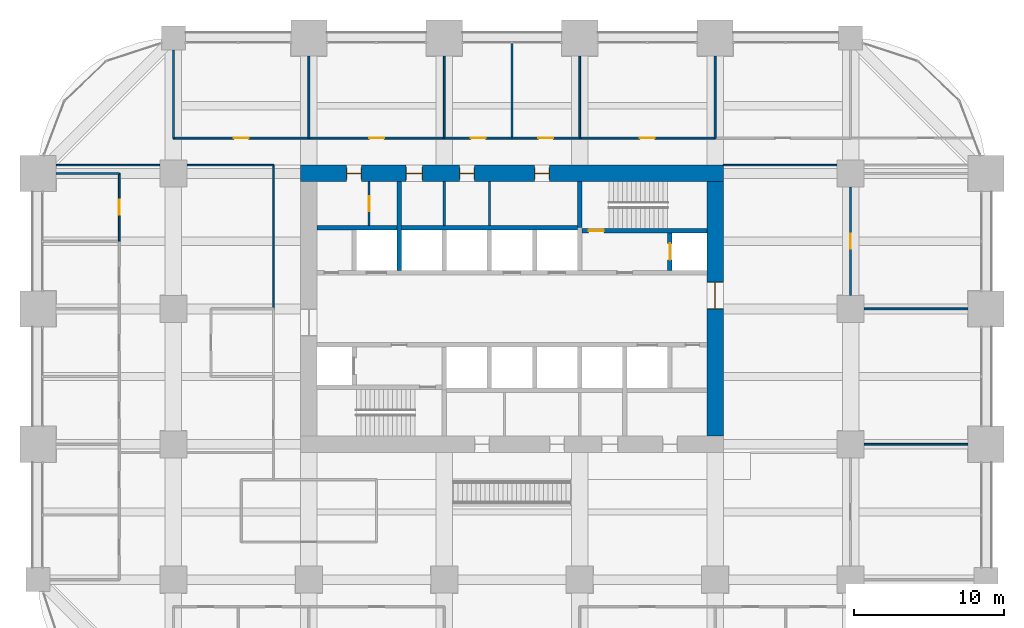
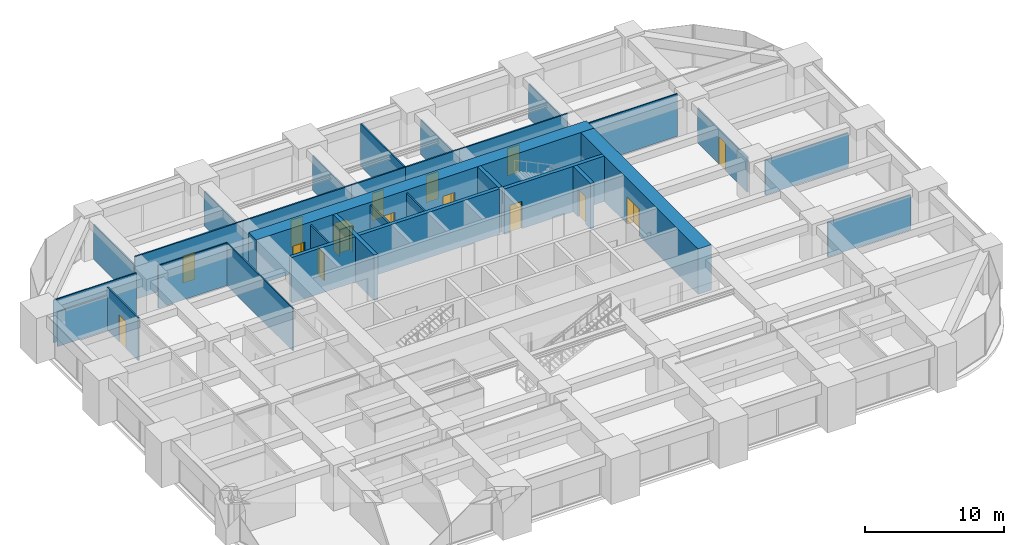
# One storey, part 38 of 41: 30 walls, 15 doors, 15 openings.
"""IFC4 building model written with IfcOpenShell, lengths in metres."""

import ifcopenshell
import ifcopenshell.guid

model = None  # the IFC model being written
_history = None  # IfcOwnerHistory: only IFC2X3 demands one
_inside = {}  # id of a spatial element -> (the spatial element, [elements in it])
_under = {}  # id of a project, library or spatial element -> (it, [spatial elements below it])
_declared = {}  # id of a project -> (the project, [libraries it declares])
_typed = {}  # id of a type object -> (the type object, [elements of that type])
_made_of = {}  # id of a material, layer set ... -> (it, [elements and type objects made of it])


def new_model(schema):
    """Start an empty IFC model of exactly this schema.

    Asked for "IFC4X3", IfcOpenShell would pick the latest addendum, in which some entities
    have other attributes; the version numbers below select the first issue.
    IFC2X3 requires an IfcOwnerHistory on every rooted entity: one is made here for all.
    """
    global model, _history
    if schema == "IFC4X3":
        model = ifcopenshell.file(schema_version=(4, 3, 0, 0))
    else:
        model = ifcopenshell.file(schema=schema)
    _inside.clear()
    _under.clear()
    _declared.clear()
    _typed.clear()
    _made_of.clear()
    _history = None
    if model.schema == "IFC2X3":
        org = make("IfcOrganization", Name="unknown")
        user = make(
            "IfcPersonAndOrganization",
            ThePerson=make("IfcPerson", FamilyName="unknown"),
            TheOrganization=org,
        )
        app = make(
            "IfcApplication",
            ApplicationDeveloper=org,
            Version="unknown",
            ApplicationFullName="unknown",
            ApplicationIdentifier="unknown",
        )
        _history = make(
            "IfcOwnerHistory",
            OwningUser=user,
            OwningApplication=app,
            ChangeAction="ADDED",
            CreationDate=0,
        )
    return model


def make(cls, **values):
    """One entity of the class cls with the attributes given. An attribute that is None is left unset."""
    return model.create_entity(
        cls, **{name: value for name, value in values.items() if value is not None}
    )


def rooted(cls, **values):
    """An entity with a GlobalId (a new one), such as an element, a storey or a relation."""
    return make(cls, GlobalId=ifcopenshell.guid.new(), OwnerHistory=_history, **values)


def si_unit(unit_type, name, prefix=None):
    """IfcSIUnit, for example si_unit("LENGTHUNIT", "METRE", prefix="MILLI")."""
    return make("IfcSIUnit", UnitType=unit_type, Prefix=prefix, Name=name)


def assignment(units):
    """IfcUnitAssignment: the units of a project."""
    return None if units is None else make("IfcUnitAssignment", Units=units)


def point(xyz):
    """IfcCartesianPoint."""
    return None if xyz is None else make("IfcCartesianPoint", Coordinates=xyz)


def direction(xyz):
    """IfcDirection."""
    return None if xyz is None else make("IfcDirection", DirectionRatios=xyz)


def frame(location, z_axis=None, x_axis=None):
    """IfcAxis2Placement3D, a coordinate frame: its origin and axes. An axis left out is left unset."""
    return make(
        "IfcAxis2Placement3D",
        Location=point(location),
        Axis=direction(z_axis),
        RefDirection=direction(x_axis),
    )


def frame_2d(location, x_axis=None):
    """IfcAxis2Placement2D, a coordinate frame in the plane: its origin and x axis."""
    return make(
        "IfcAxis2Placement2D", Location=point(location), RefDirection=direction(x_axis)
    )


def origin():
    """The frame at (0, 0, 0) with its axes left unset."""
    return frame((0.0, 0.0, 0.0))


def place(relative_to, where):
    """IfcLocalPlacement: puts the frame where relative to a parent placement (None: the world)."""
    return make(
        "IfcLocalPlacement", PlacementRelTo=relative_to, RelativePlacement=where
    )


def context(
    kind, dimensions, precision=None, world=None, true_north=None, identifier=None
):
    """IfcGeometricRepresentationContext, for example the 3D "Model" context."""
    return make(
        "IfcGeometricRepresentationContext",
        ContextIdentifier=identifier,
        ContextType=kind,
        CoordinateSpaceDimension=dimensions,
        Precision=precision,
        WorldCoordinateSystem=world,
        TrueNorth=true_north,
    )


def subcontext(parent, identifier, kind, view, scale=None):
    """IfcGeometricRepresentationSubContext, for example "Body" below "Model"."""
    return make(
        "IfcGeometricRepresentationSubContext",
        ContextIdentifier=identifier,
        ContextType=kind,
        ParentContext=parent,
        TargetScale=scale,
        TargetView=view,
    )


def project(units=None, contexts=None):
    """IfcProject with its units and contexts."""
    return rooted(
        "IfcProject",
        Name="project",
        RepresentationContexts=contexts,
        UnitsInContext=assignment(units),
    )


def spatial(cls, under=None, at=None, **own):
    """A site, building, storey or space (cls), placed at a placement, below another one or the project."""
    s = rooted(cls, ObjectPlacement=at, **own)
    if under is not None:
        _under.setdefault(under.id(), (under, []))[1].append(s)
    return s


def profile(cls, at=None, kind="AREA", **sizes):
    """A parametric profile (cls). Its sizes go by their IFC names, for example OverallWidth=200.0."""
    return make(cls, ProfileType=kind, Position=at, **sizes)


def rectangle(**sizes):
    """IfcRectangleProfileDef."""
    return profile("IfcRectangleProfileDef", **sizes)


def extrude(swept, where, along, depth):
    """IfcExtrudedAreaSolid: the profile swept, set in the frame where, extruded along a direction by depth."""
    return make(
        "IfcExtrudedAreaSolid",
        SweptArea=swept,
        Position=where,
        ExtrudedDirection=direction(along),
        Depth=depth,
    )


def shape(context_of_items, identifier, shape_type, items):
    """IfcShapeRepresentation: the items that make up one representation, for example the "Body"."""
    return make(
        "IfcShapeRepresentation",
        ContextOfItems=context_of_items,
        RepresentationIdentifier=identifier,
        RepresentationType=shape_type,
        Items=items,
    )


def material(Name=None, Category=None):
    """IfcMaterial."""
    return make("IfcMaterial", Name=Name, Category=Category)


def layer(
    of_material, thickness, ventilated=None, Name=None, Category=None, Priority=None
):
    """IfcMaterialLayer: one layer of a wall or slab, of a material (None: an air gap)."""
    return make(
        "IfcMaterialLayer",
        Material=of_material,
        LayerThickness=thickness,
        IsVentilated=ventilated,
        Name=Name,
        Category=Category,
        Priority=Priority,
    )


def layer_set(layers, Name=None):
    """IfcMaterialLayerSet."""
    return make("IfcMaterialLayerSet", MaterialLayers=layers, LayerSetName=Name)


def made_of(thing, what):
    """Note that an element or type object is made of a material, layer set ...; save() writes the relation."""
    if what is not None:
        _made_of.setdefault(what.id(), (what, []))[1].append(thing)
    return thing


def type_object(cls, material=None, **own):
    """A type object (cls), such as IfcWallType, which elements share."""
    return made_of(rooted(cls, **own), material)


def element(
    cls,
    number,
    at=None,
    inside=None,
    cuts=None,
    type_object=None,
    material=None,
    context=None,
    identifier="Body",
    shape_type=None,
    held_by="IfcProductDefinitionShape",
    body=None,
    shapes=None,
    **own,
):
    """One element of the class cls, such as IfcWall. Its Tag is "e" and its number.

    at: its placement. inside: the storey or other place that contains it. cuts: it is an
    opening in that element (IfcRelVoidsElement). A single representation is given by context,
    identifier, shape_type and body (its items); several are given by shapes. held_by: the class
    of the entity that holds the representations. save() writes the other relations.
    """
    e = rooted(cls, Tag="e%d" % number, ObjectPlacement=at, **own)
    if body is not None:
        shapes = [shape(context, identifier, shape_type, body)]
    if shapes is not None:
        e.Representation = make(held_by, Representations=shapes)
    if inside is not None:
        _inside.setdefault(inside.id(), (inside, []))[1].append(e)
    if cuts is not None:
        rooted(
            "IfcRelVoidsElement", RelatingBuildingElement=cuts, RelatedOpeningElement=e
        )
    if type_object is not None:
        _typed.setdefault(type_object.id(), (type_object, []))[1].append(e)
    return made_of(e, material)


def fill(opening, filler):
    """IfcRelFillsElement: the door or window that sits in an opening."""
    return rooted(
        "IfcRelFillsElement",
        RelatingOpeningElement=opening,
        RelatedBuildingElement=filler,
    )


def aggregate(whole, parts):
    """IfcRelAggregates: a whole, such as a stair, and the parts it consists of."""
    return rooted("IfcRelAggregates", RelatingObject=whole, RelatedObjects=parts)


def save(model, path):
    """Write the relations noted so far, then the file.

    IfcRelAggregates (storeys below a building ...), IfcRelContainedInSpatialStructure (elements
    in a storey), IfcRelDefinesByType, IfcRelAssociatesMaterial and IfcRelDeclares: one each for
    every whole, place, type object, material and project.
    """
    for whole, parts in _under.values():
        aggregate(whole, parts)
    for where, things in _inside.values():
        rooted(
            "IfcRelContainedInSpatialStructure",
            RelatedElements=things,
            RelatingStructure=where,
        )
    for kind, things in _typed.values():
        rooted("IfcRelDefinesByType", RelatedObjects=things, RelatingType=kind)
    for what, things in _made_of.values():
        rooted("IfcRelAssociatesMaterial", RelatedObjects=things, RelatingMaterial=what)
    for by, libraries in _declared.values():
        rooted("IfcRelDeclares", RelatingContext=by, RelatedDefinitions=libraries)
    model.write(path)


model = new_model("IFC4")

# Units and contexts
model_context = context("Model", 3, precision=1e-05, world=origin(), true_north=direction((0.0, 1.0)))
body_context = subcontext(model_context, "Body", "Model", "MODEL_VIEW")
ifc_project = project(units=[si_unit("LENGTHUNIT", "METRE"), si_unit("AREAUNIT", "SQUARE_METRE"), si_unit("VOLUMEUNIT", "CUBIC_METRE"), si_unit("PLANEANGLEUNIT", "RADIAN"), si_unit("MASSUNIT", "GRAM", prefix="KILO")], contexts=[model_context])

# Site, building, storey
site_placement = place(None, origin())
site = spatial("IfcSite", under=ifc_project, at=site_placement, CompositionType="ELEMENT")
building_placement = place(site_placement, origin())
building = spatial("IfcBuilding", under=site, at=building_placement, Name="Zorevar Civic Tower", CompositionType="ELEMENT")
storey_placement = place(building_placement, frame((0.0, 0.0, 137.0)))
storey = spatial("IfcBuildingStorey", under=building, at=storey_placement, Name="L33", CompositionType="ELEMENT", Elevation=137.0)

# Wall, openings, doors
ifc_material_1 = material(Name="Concrete C50/60", Category="concrete")
ifc_layer_1 = layer(ifc_material_1, 1.10009765625)
ifc_layer_set_1 = layer_set([ifc_layer_1], Name="Core wall 1100")
wall_type_1 = type_object("IfcWallType", Name="Core wall 1100", PredefinedType="SHEAR", material=ifc_layer_set_1)
wall_1_placement = place(storey_placement, frame((45.550048828125, 36.0, 0.0), z_axis=(0.0, 0.0, 1.0), x_axis=(-1.0, 0.0, 0.0)))
wall_1 = element("IfcWall", 1, at=wall_1_placement, inside=storey, type_object=wall_type_1, Name="Core wall N L33", PredefinedType="SHEAR", context=body_context, shape_type="SweptSolid", body=[
    extrude(rectangle(XDim=28.10009765625, YDim=1.10009765625, at=frame_2d((14.050048828125, 0.0))), origin(), (0.0, 0.0, 1.0), 4.0),
])
opening_1_placement = place(wall_1_placement, frame((11.550048828125, 0.0, 0.0)))
opening_1 = element("IfcOpeningElement", 2, at=opening_1_placement, cuts=wall_1, Name="Opening L33.07", PredefinedType="OPENING", context=body_context, shape_type="SweptSolid", body=[
    extrude(rectangle(XDim=1.0, YDim=2.39990234375, at=frame_2d((0.5, 1.199951171875))), frame((0.0, 0.56005859375, 0.0), z_axis=(0.0, -1.0, 0.0), x_axis=(1.0, 0.0, 0.0)), (0.0, 0.0, 1.0), 1.1201171875),
])
opening_2_placement = place(wall_1_placement, frame((16.550048828125, 0.0, 0.0)))
opening_2 = element("IfcOpeningElement", 3, at=opening_2_placement, cuts=wall_1, Name="Opening L33.08", PredefinedType="OPENING", context=body_context, shape_type="SweptSolid", body=[
    extrude(rectangle(XDim=1.0, YDim=2.39990234375, at=frame_2d((0.5, 1.199951171875))), frame((0.0, 0.56005859375, 0.0), z_axis=(0.0, -1.0, 0.0), x_axis=(1.0, 0.0, 0.0)), (0.0, 0.0, 1.0), 1.1201171875),
])
opening_3_placement = place(wall_1_placement, frame((20.0, 0.0, 0.0)))
opening_3 = element("IfcOpeningElement", 4, at=opening_3_placement, cuts=wall_1, Name="Opening L33.09", PredefinedType="OPENING", context=body_context, shape_type="SweptSolid", body=[
    extrude(rectangle(XDim=1.10009765625, YDim=2.39990234375, at=frame_2d((0.550048828125, 1.199951171875))), frame((0.0, 0.56005859375, 0.0), z_axis=(0.0, -1.0, 0.0), x_axis=(1.0, 0.0, 0.0)), (0.0, 0.0, 1.0), 1.1201171875),
])
opening_4_placement = place(wall_1_placement, frame((24.050048828125, 0.0, 0.0)))
opening_4 = element("IfcOpeningElement", 5, at=opening_4_placement, cuts=wall_1, Name="Opening L33.10", PredefinedType="OPENING", context=body_context, shape_type="SweptSolid", body=[
    extrude(rectangle(XDim=1.0, YDim=2.39990234375, at=frame_2d((0.5, 1.199951171875))), frame((0.0, 0.56005859375, 0.0), z_axis=(0.0, -1.0, 0.0), x_axis=(1.0, 0.0, 0.0)), (0.0, 0.0, 1.0), 1.1201171875),
])
ifc_material_2 = material(Name="Timber door set", Category="wood")
door_type_1 = type_object("IfcDoorType", Name="Door D1 1000x2400", OperationType="SINGLE_SWING_LEFT", PredefinedType="DOOR", material=ifc_material_2)
door_1_placement = place(opening_1_placement, origin())
door_1 = element("IfcDoor", 6, at=door_1_placement, inside=storey, type_object=door_type_1, Name="Door L33 06", OperationType="SINGLE_SWING_LEFT", OverallHeight=2.39990234375, OverallWidth=1.0, PredefinedType="DOOR", context=body_context, shape_type="SweptSolid", body=[
    extrude(rectangle(XDim=1.0, YDim=2.39990234375, at=frame_2d((0.5, 1.199951171875))), frame((0.0, 0.02490234375, 0.0), z_axis=(0.0, -1.0, 0.0), x_axis=(1.0, 0.0, 0.0)), (0.0, 0.0, 1.0), 0.050048828125),
    extrude(rectangle(XDim=0.04, YDim=2.39990234375, at=frame_2d((0.02001953125, 1.199951171875))), frame((0.0, 0.39990234375, 0.0), z_axis=(0.0, -1.0, 0.0), x_axis=(1.0, 0.0, 0.0)), (0.0, 0.0, 1.0), 0.800048828125),
    extrude(rectangle(XDim=0.04, YDim=2.39990234375, at=frame_2d((0.97998046875, 1.199951171875))), frame((0.0, 0.39990234375, 0.0), z_axis=(0.0, -1.0, 0.0), x_axis=(1.0, 0.0, 0.0)), (0.0, 0.0, 1.0), 0.800048828125),
    extrude(rectangle(XDim=1.0, YDim=0.04, at=frame_2d((0.5, 2.3798828125))), frame((0.0, 0.39990234375, 0.0), z_axis=(0.0, -1.0, 0.0), x_axis=(1.0, 0.0, 0.0)), (0.0, 0.0, 1.0), 0.800048828125),
])
fill(opening_1, door_1)
door_2_placement = place(opening_2_placement, origin())
door_2 = element("IfcDoor", 7, at=door_2_placement, inside=storey, type_object=door_type_1, Name="Door L33 07", OperationType="SINGLE_SWING_RIGHT", OverallHeight=2.39990234375, OverallWidth=1.0, PredefinedType="DOOR", context=body_context, shape_type="SweptSolid", body=[
    extrude(rectangle(XDim=1.0, YDim=2.39990234375, at=frame_2d((0.5, 1.199951171875))), frame((0.0, 0.02490234375, 0.0), z_axis=(0.0, -1.0, 0.0), x_axis=(1.0, 0.0, 0.0)), (0.0, 0.0, 1.0), 0.050048828125),
    extrude(rectangle(XDim=0.04, YDim=2.39990234375, at=frame_2d((0.02001953125, 1.199951171875))), frame((0.0, 0.39990234375, 0.0), z_axis=(0.0, -1.0, 0.0), x_axis=(1.0, 0.0, 0.0)), (0.0, 0.0, 1.0), 0.800048828125),
    extrude(rectangle(XDim=0.04, YDim=2.39990234375, at=frame_2d((0.97998046875, 1.199951171875))), frame((0.0, 0.39990234375, 0.0), z_axis=(0.0, -1.0, 0.0), x_axis=(1.0, 0.0, 0.0)), (0.0, 0.0, 1.0), 0.800048828125),
    extrude(rectangle(XDim=1.0, YDim=0.04, at=frame_2d((0.5, 2.3798828125))), frame((0.0, 0.39990234375, 0.0), z_axis=(0.0, -1.0, 0.0), x_axis=(1.0, 0.0, 0.0)), (0.0, 0.0, 1.0), 0.800048828125),
])
fill(opening_2, door_2)
door_3_placement = place(opening_4_placement, origin())
door_3 = element("IfcDoor", 8, at=door_3_placement, inside=storey, type_object=door_type_1, Name="Door L33 09", OperationType="SINGLE_SWING_RIGHT", OverallHeight=2.39990234375, OverallWidth=1.0, PredefinedType="DOOR", context=body_context, shape_type="SweptSolid", body=[
    extrude(rectangle(XDim=1.0, YDim=2.39990234375, at=frame_2d((0.5, 1.199951171875))), frame((0.0, 0.02490234375, 0.0), z_axis=(0.0, -1.0, 0.0), x_axis=(1.0, 0.0, 0.0)), (0.0, 0.0, 1.0), 0.050048828125),
    extrude(rectangle(XDim=0.04, YDim=2.39990234375, at=frame_2d((0.02001953125, 1.199951171875))), frame((0.0, 0.39990234375, 0.0), z_axis=(0.0, -1.0, 0.0), x_axis=(1.0, 0.0, 0.0)), (0.0, 0.0, 1.0), 0.800048828125),
    extrude(rectangle(XDim=0.04, YDim=2.39990234375, at=frame_2d((0.97998046875, 1.199951171875))), frame((0.0, 0.39990234375, 0.0), z_axis=(0.0, -1.0, 0.0), x_axis=(1.0, 0.0, 0.0)), (0.0, 0.0, 1.0), 0.800048828125),
    extrude(rectangle(XDim=1.0, YDim=0.04, at=frame_2d((0.5, 2.3798828125))), frame((0.0, 0.39990234375, 0.0), z_axis=(0.0, -1.0, 0.0), x_axis=(1.0, 0.0, 0.0)), (0.0, 0.0, 1.0), 0.800048828125),
])
fill(opening_4, door_3)
ifc_material_3 = material(Name="Timber door set", Category="wood")
door_type_2 = type_object("IfcDoorType", Name="Door D5 1100x2400", OperationType="SINGLE_SWING_LEFT", PredefinedType="DOOR", material=ifc_material_3)
door_4_placement = place(opening_3_placement, origin())
door_4 = element("IfcDoor", 9, at=door_4_placement, inside=storey, type_object=door_type_2, Name="Door L33 08", OperationType="SINGLE_SWING_RIGHT", OverallHeight=2.39990234375, OverallWidth=1.10009765625, PredefinedType="DOOR", context=body_context, shape_type="SweptSolid", body=[
    extrude(rectangle(XDim=1.10009765625, YDim=2.39990234375, at=frame_2d((0.550048828125, 1.199951171875))), frame((0.0, 0.02490234375, 0.0), z_axis=(0.0, -1.0, 0.0), x_axis=(1.0, 0.0, 0.0)), (0.0, 0.0, 1.0), 0.050048828125),
    extrude(rectangle(XDim=0.04, YDim=2.39990234375, at=frame_2d((0.02001953125, 1.199951171875))), frame((0.0, 0.43994140625, 0.0), z_axis=(0.0, -1.0, 0.0), x_axis=(1.0, 0.0, 0.0)), (0.0, 0.0, 1.0), 0.880126953125),
    extrude(rectangle(XDim=0.04, YDim=2.39990234375, at=frame_2d((1.080078125, 1.199951171875))), frame((0.0, 0.43994140625, 0.0), z_axis=(0.0, -1.0, 0.0), x_axis=(1.0, 0.0, 0.0)), (0.0, 0.0, 1.0), 0.880126953125),
    extrude(rectangle(XDim=1.10009765625, YDim=0.04, at=frame_2d((0.550048828125, 2.3798828125))), frame((0.0, 0.43994140625, 0.0), z_axis=(0.0, -1.0, 0.0), x_axis=(1.0, 0.0, 0.0)), (0.0, 0.0, 1.0), 0.880126953125),
])
fill(opening_3, door_4)

# Wall, opening, door
wall_2_placement = place(storey_placement, frame((45.0, 18.550048828125, 0.0), z_axis=(0.0, 0.0, 1.0), x_axis=(0.0, 1.0, 0.0)))
wall_2 = element("IfcWall", 10, at=wall_2_placement, inside=storey, type_object=wall_type_1, Name="Core wall E L33", PredefinedType="SHEAR", context=body_context, shape_type="SweptSolid", body=[
    extrude(rectangle(XDim=16.89990234375, YDim=1.10009765625, at=frame_2d((8.449951171875, 0.0))), origin(), (0.0, 0.0, 1.0), 4.0),
])
opening_5_placement = place(wall_2_placement, frame((8.449951171875, 0.0, 0.0)))
opening_5 = element("IfcOpeningElement", 11, at=opening_5_placement, cuts=wall_2, Name="Opening L33.02", PredefinedType="OPENING", context=body_context, shape_type="SweptSolid", body=[
    extrude(rectangle(XDim=1.800048828125, YDim=2.39990234375, at=frame_2d((0.89990234375, 1.199951171875))), frame((0.0, 0.56005859375, 0.0), z_axis=(0.0, -1.0, 0.0), x_axis=(1.0, 0.0, 0.0)), (0.0, 0.0, 1.0), 1.1201171875),
])
ifc_material_4 = material(Name="Steel door set", Category="steel")
door_type_3 = type_object("IfcDoorType", Name="Fire door FD2 1800x2400", OperationType="DOUBLE_DOOR_DOUBLE_SWING", PredefinedType="DOOR", material=ifc_material_4)
door_5_placement = place(opening_5_placement, origin())
door_5 = element("IfcDoor", 12, at=door_5_placement, inside=storey, type_object=door_type_3, Name="Door L33 01", OperationType="DOUBLE_DOOR_DOUBLE_SWING", OverallHeight=2.39990234375, OverallWidth=1.800048828125, PredefinedType="DOOR", context=body_context, shape_type="SweptSolid", body=[
    extrude(rectangle(XDim=1.800048828125, YDim=2.39990234375, at=frame_2d((0.89990234375, 1.199951171875))), frame((0.0, 0.030029296875, 0.0), z_axis=(0.0, -1.0, 0.0), x_axis=(1.0, 0.0, 0.0)), (0.0, 0.0, 1.0), 0.06005859375),
    extrude(rectangle(XDim=0.04, YDim=2.39990234375, at=frame_2d((0.02001953125, 1.199951171875))), frame((0.0, 0.5498046875, 0.0), z_axis=(0.0, -1.0, 0.0), x_axis=(1.0, 0.0, 0.0)), (0.0, 0.0, 1.0), 1.099609375),
    extrude(rectangle(XDim=0.04, YDim=2.39990234375, at=frame_2d((1.780029296875, 1.199951171875))), frame((0.0, 0.5498046875, 0.0), z_axis=(0.0, -1.0, 0.0), x_axis=(1.0, 0.0, 0.0)), (0.0, 0.0, 1.0), 1.099609375),
    extrude(rectangle(XDim=1.800048828125, YDim=0.04, at=frame_2d((0.89990234375, 2.3798828125))), frame((0.0, 0.5498046875, 0.0), z_axis=(0.0, -1.0, 0.0), x_axis=(1.0, 0.0, 0.0)), (0.0, 0.0, 1.0), 1.099609375),
])
fill(opening_5, door_5)

# Walls
ifc_material_5 = material(Name="Laminated glass in black aluminium frame", Category="aluminium")
ifc_layer_2 = layer(ifc_material_5, 0.10009765625)
ifc_layer_set_2 = layer_set([ifc_layer_2], Name="Glazed partition 100")
wall_type_2 = type_object("IfcWallType", Name="Glazed partition 100", PredefinedType="PARTITIONING", material=ifc_layer_set_2)
wall_3_placement = place(storey_placement, frame((1.199951171875, 36.550048828125, 0.0), z_axis=(0.0, 0.0, 1.0), x_axis=(1.0, 0.0, 0.0)))
element("IfcWall", 13, at=wall_3_placement, inside=storey, type_object=wall_type_2, Name="Glazed partition 100 L33", PredefinedType="PARTITIONING", context=body_context, shape_type="SweptSolid", body=[
    extrude(rectangle(XDim=6.900146484375, YDim=0.10009765625, at=frame_2d((3.4501953125, 0.0))), origin(), (0.0, 0.0, 1.0), 3.75),
])
wall_4_placement = place(storey_placement, frame((9.89990234375, 36.550048828125, 0.0), z_axis=(0.0, 0.0, 1.0), x_axis=(1.0, 0.0, 0.0)))
element("IfcWall", 14, at=wall_4_placement, inside=storey, type_object=wall_type_2, Name="Glazed partition 100 L33", PredefinedType="PARTITIONING", context=body_context, shape_type="SweptSolid", body=[
    extrude(rectangle(XDim=5.75, YDim=0.10009765625, at=frame_2d((2.875, 0.0))), origin(), (0.0, 0.0, 1.0), 3.75),
])
wall_5_placement = place(storey_placement, frame((45.550048828125, 36.550048828125, 0.0), z_axis=(0.0, 0.0, 1.0), x_axis=(1.0, 0.0, 0.0)))
element("IfcWall", 15, at=wall_5_placement, inside=storey, type_object=wall_type_2, Name="Glazed partition 100 L33", PredefinedType="PARTITIONING", context=body_context, shape_type="SweptSolid", body=[
    extrude(rectangle(XDim=7.550048828125, YDim=0.10009765625, at=frame_2d((3.77490234375, 0.0))), origin(), (0.0, 0.0, 1.0), 3.75),
])
wall_6_placement = place(storey_placement, frame((15.64990234375, 27.0, 0.0), z_axis=(0.0, 0.0, 1.0), x_axis=(0.0, 1.0, 0.0)))
element("IfcWall", 16, at=wall_6_placement, inside=storey, type_object=wall_type_2, Name="Glazed partition 100 L33", PredefinedType="PARTITIONING", context=body_context, shape_type="SweptSolid", body=[
    extrude(rectangle(XDim=9.550048828125, YDim=0.10009765625, at=frame_2d((4.77490234375, 0.0))), origin(), (0.0, 0.0, 1.0), 3.75),
])

# Wall, opening, door
ifc_material_6 = material(Name="Concrete C40/50", Category="concrete")
ifc_layer_3 = layer(ifc_material_6, 0.300048828125)
ifc_layer_set_3 = layer_set([ifc_layer_3], Name="Inner core wall 300")
wall_type_3 = type_object("IfcWallType", Name="Inner core wall 300", PredefinedType="SHEAR", material=ifc_layer_set_3)
wall_7_placement = place(storey_placement, frame((36.14990234375, 32.199951171875, 0.0), z_axis=(0.0, 0.0, 1.0), x_axis=(1.0, 0.0, 0.0)))
wall_7 = element("IfcWall", 17, at=wall_7_placement, inside=storey, type_object=wall_type_3, Name="Inner core wall N00 L33", PredefinedType="SHEAR", context=body_context, shape_type="SweptSolid", body=[
    extrude(rectangle(XDim=8.300048828125, YDim=0.300048828125, at=frame_2d((4.14990234375, 0.0))), origin(), (0.0, 0.0, 1.0), 4.0),
])
opening_6_placement = place(wall_7_placement, frame((0.449951171875, 0.0, 0.0)))
opening_6 = element("IfcOpeningElement", 18, at=opening_6_placement, cuts=wall_7, Name="Opening L33.12", PredefinedType="OPENING", context=body_context, shape_type="SweptSolid", body=[
    extrude(rectangle(XDim=1.0, YDim=2.39990234375, at=frame_2d((0.5, 1.199951171875))), frame((0.0, 0.159912109375, 0.0), z_axis=(0.0, -1.0, 0.0), x_axis=(1.0, 0.0, 0.0)), (0.0, 0.0, 1.0), 0.320068359375),
])
ifc_material_7 = material(Name="Steel door set", Category="steel")
door_type_4 = type_object("IfcDoorType", Name="Fire door FD1 1000x2400", OperationType="SINGLE_SWING_LEFT", PredefinedType="DOOR", material=ifc_material_7)
door_6_placement = place(opening_6_placement, origin())
door_6 = element("IfcDoor", 19, at=door_6_placement, inside=storey, type_object=door_type_4, Name="Door L33 11", OperationType="SINGLE_SWING_RIGHT", OverallHeight=2.39990234375, OverallWidth=1.0, PredefinedType="DOOR", context=body_context, shape_type="SweptSolid", body=[
    extrude(rectangle(XDim=1.0, YDim=2.39990234375, at=frame_2d((0.5, 1.199951171875))), frame((0.0, 0.030029296875, 0.0), z_axis=(0.0, -1.0, 0.0), x_axis=(1.0, 0.0, 0.0)), (0.0, 0.0, 1.0), 0.06005859375),
])
fill(opening_6, door_6)

# Wall
wall_8_placement = place(storey_placement, frame((36.0, 32.39990234375, 0.0), z_axis=(0.0, 0.0, 1.0), x_axis=(0.0, 1.0, 0.0)))
element("IfcWall", 20, at=wall_8_placement, inside=storey, type_object=wall_type_3, Name="Inner core wall N01 L33", PredefinedType="SHEAR", context=body_context, shape_type="SweptSolid", body=[
    extrude(rectangle(XDim=3.050048828125, YDim=0.300048828125, at=frame_2d((1.52490234375, 0.0))), origin(), (0.0, 0.0, 1.0), 4.0),
])

# Wall, opening, door
wall_9_placement = place(storey_placement, frame((42.0, 29.550048828125, 0.0), z_axis=(0.0, 0.0, 1.0), x_axis=(0.0, 1.0, 0.0)))
wall_9 = element("IfcWall", 21, at=wall_9_placement, inside=storey, type_object=wall_type_3, Name="Inner core wall N02 L33", PredefinedType="SHEAR", context=body_context, shape_type="SweptSolid", body=[
    extrude(rectangle(XDim=2.5, YDim=0.300048828125, at=frame_2d((1.25, 0.0))), origin(), (0.0, 0.0, 1.0), 4.0),
])
opening_7_placement = place(wall_9_placement, frame((0.699951171875, 0.0, 0.0)))
opening_7 = element("IfcOpeningElement", 22, at=opening_7_placement, cuts=wall_9, Name="Opening L33.FL2", PredefinedType="OPENING", context=body_context, shape_type="SweptSolid", body=[
    extrude(rectangle(XDim=1.10009765625, YDim=2.39990234375, at=frame_2d((0.550048828125, 1.199951171875))), frame((0.0, 0.159912109375, 0.0), z_axis=(0.0, -1.0, 0.0), x_axis=(1.0, 0.0, 0.0)), (0.0, 0.0, 1.0), 0.320068359375),
])
ifc_material_8 = material(Name="Steel door set", Category="steel")
door_type_5 = type_object("IfcDoorType", Name="Firefighting lift landing door LD3 1100x2400", OperationType="DOUBLE_DOOR_SLIDING", PredefinedType="DOOR", material=ifc_material_8)
door_7_placement = place(opening_7_placement, origin())
door_7 = element("IfcDoor", 23, at=door_7_placement, inside=storey, type_object=door_type_5, Name="Landing door FL2 L33", OperationType="DOUBLE_DOOR_SLIDING", OverallHeight=2.39990234375, OverallWidth=1.10009765625, PredefinedType="DOOR", context=body_context, shape_type="SweptSolid", body=[
    extrude(rectangle(XDim=1.10009765625, YDim=2.39990234375, at=frame_2d((0.550048828125, 1.199951171875))), frame((0.0, 0.030029296875, 0.0), z_axis=(0.0, -1.0, 0.0), x_axis=(1.0, 0.0, 0.0)), (0.0, 0.0, 1.0), 0.06005859375),
])
fill(opening_7, door_7)

# Walls
wall_10_placement = place(storey_placement, frame((18.550048828125, 32.39990234375, 0.0), z_axis=(0.0, 0.0, 1.0), x_axis=(1.0, 0.0, 0.0)))
element("IfcWall", 24, at=wall_10_placement, inside=storey, type_object=wall_type_3, Name="Inner core wall N04 L33", PredefinedType="SHEAR", context=body_context, shape_type="SweptSolid", body=[
    extrude(rectangle(XDim=17.300048828125, YDim=0.300048828125, at=frame_2d((8.64990234375, 0.0))), origin(), (0.0, 0.0, 1.0), 4.0),
])
wall_11_placement = place(storey_placement, frame((24.0, 29.550048828125, 0.0), z_axis=(0.0, 0.0, 1.0), x_axis=(0.0, 1.0, 0.0)))
element("IfcWall", 25, at=wall_11_placement, inside=storey, type_object=wall_type_3, Name="Inner core wall N08 L33", PredefinedType="SHEAR", context=body_context, shape_type="SweptSolid", body=[
    extrude(rectangle(XDim=5.89990234375, YDim=0.300048828125, at=frame_2d((2.949951171875, 0.0))), origin(), (0.0, 0.0, 1.0), 4.0),
])
ifc_material_9 = material(Name="Gypsum board on steel studs", Category="steel")
ifc_layer_4 = layer(ifc_material_9, 0.1201171875)
ifc_layer_set_4 = layer_set([ifc_layer_4], Name="Partition 120")
wall_type_4 = type_object("IfcWallType", Name="Partition 120", PredefinedType="PARTITIONING", material=ifc_layer_set_4)
for number, where, z_axis, x_axis, name in (
    (26, (54.89990234375, 18.0, 0.0), (0.0, 0.0, 1.0), (1.0, 0.0, 0.0), "Partition 120 L33"),
    (27, (54.89990234375, 27.0, 0.0), (0.0, 0.0, 1.0), (1.0, 0.0, 0.0), "Partition 120 L33"),
):
    element("IfcWall", number, at=place(storey_placement, frame(where, z_axis=z_axis, x_axis=x_axis)), inside=storey, type_object=wall_type_4, Name=name, PredefinedType="PARTITIONING", context=body_context, shape_type="SweptSolid", body=[
        extrude(rectangle(XDim=6.900146484375, YDim=0.1201171875, at=frame_2d((3.4501953125, 0.0))), origin(), (0.0, 0.0, 1.0), 3.050048828125),
    ])
wall_12_placement = place(storey_placement, frame((1.199951171875, 36.0, 0.0), z_axis=(0.0, 0.0, 1.0), x_axis=(1.0, 0.0, 0.0)))
element("IfcWall", 28, at=wall_12_placement, inside=storey, type_object=wall_type_4, Name="Partition 120 L33", PredefinedType="PARTITIONING", context=body_context, shape_type="SweptSolid", body=[
    extrude(rectangle(XDim=4.199951171875, YDim=0.1201171875, at=frame_2d((2.10009765625, 0.0))), origin(), (0.0, 0.0, 1.0), 3.050048828125),
])

# Wall, opening, door
wall_13_placement = place(storey_placement, frame((9.0, 38.35009765625, 0.0), z_axis=(0.0, 0.0, 1.0), x_axis=(1.0, 0.0, 0.0)))
wall_13 = element("IfcWall", 29, at=wall_13_placement, inside=storey, type_object=wall_type_4, Name="Partition 120 L33", PredefinedType="PARTITIONING", context=body_context, shape_type="SweptSolid", body=[
    extrude(rectangle(XDim=9.0, YDim=0.1201171875, at=frame_2d((4.5, 0.0))), origin(), (0.0, 0.0, 1.0), 3.75),
])
opening_8_placement = place(wall_13_placement, frame((4.0, 0.0, 0.0)))
opening_8 = element("IfcOpeningElement", 30, at=opening_8_placement, cuts=wall_13, Name="Opening L33.24", PredefinedType="OPENING", context=body_context, shape_type="SweptSolid", body=[
    extrude(rectangle(XDim=1.0, YDim=2.39990234375, at=frame_2d((0.5, 1.199951171875))), frame((0.0, 0.070068359375, 0.0), z_axis=(0.0, -1.0, 0.0), x_axis=(1.0, 0.0, 0.0)), (0.0, 0.0, 1.0), 0.14013671875),
])
door_8_placement = place(opening_8_placement, origin())
door_8 = element("IfcDoor", 31, at=door_8_placement, inside=storey, type_object=door_type_1, Name="Door L33 D1", OperationType="SINGLE_SWING_LEFT", OverallHeight=2.39990234375, OverallWidth=1.0, PredefinedType="DOOR", context=body_context, shape_type="SweptSolid", body=[
    extrude(rectangle(XDim=1.0, YDim=2.39990234375, at=frame_2d((0.5, 1.199951171875))), frame((0.0, 0.02490234375, 0.0), z_axis=(0.0, -1.0, 0.0), x_axis=(1.0, 0.0, 0.0)), (0.0, 0.0, 1.0), 0.050048828125),
])
fill(opening_8, door_8)

wall_14_placement = place(storey_placement, frame((18.0, 38.35009765625, 0.0), z_axis=(0.0, 0.0, 1.0), x_axis=(1.0, 0.0, 0.0)))
wall_14 = element("IfcWall", 32, at=wall_14_placement, inside=storey, type_object=wall_type_4, Name="Partition 120 L33", PredefinedType="PARTITIONING", context=body_context, shape_type="SweptSolid", body=[
    extrude(rectangle(XDim=9.0, YDim=0.1201171875, at=frame_2d((4.5, 0.0))), origin(), (0.0, 0.0, 1.0), 3.75),
])
opening_9_placement = place(wall_14_placement, frame((4.0, 0.0, 0.0)))
opening_9 = element("IfcOpeningElement", 33, at=opening_9_placement, cuts=wall_14, Name="Opening L33.25", PredefinedType="OPENING", context=body_context, shape_type="SweptSolid", body=[
    extrude(rectangle(XDim=1.0, YDim=2.39990234375, at=frame_2d((0.5, 1.199951171875))), frame((0.0, 0.070068359375, 0.0), z_axis=(0.0, -1.0, 0.0), x_axis=(1.0, 0.0, 0.0)), (0.0, 0.0, 1.0), 0.14013671875),
])
door_9_placement = place(opening_9_placement, origin())
door_9 = element("IfcDoor", 34, at=door_9_placement, inside=storey, type_object=door_type_1, Name="Door L33 D1", OperationType="SINGLE_SWING_LEFT", OverallHeight=2.39990234375, OverallWidth=1.0, PredefinedType="DOOR", context=body_context, shape_type="SweptSolid", body=[
    extrude(rectangle(XDim=1.0, YDim=2.39990234375, at=frame_2d((0.5, 1.199951171875))), frame((0.0, 0.02490234375, 0.0), z_axis=(0.0, -1.0, 0.0), x_axis=(1.0, 0.0, 0.0)), (0.0, 0.0, 1.0), 0.050048828125),
])
fill(opening_9, door_9)

wall_15_placement = place(storey_placement, frame((27.0, 38.35009765625, 0.0), z_axis=(0.0, 0.0, 1.0), x_axis=(1.0, 0.0, 0.0)))
wall_15 = element("IfcWall", 35, at=wall_15_placement, inside=storey, type_object=wall_type_4, Name="Partition 120 L33", PredefinedType="PARTITIONING", context=body_context, shape_type="SweptSolid", body=[
    extrude(rectangle(XDim=4.5, YDim=0.1201171875, at=frame_2d((2.25, 0.0))), origin(), (0.0, 0.0, 1.0), 3.75),
])
opening_10_placement = place(wall_15_placement, frame((1.75, 0.0, 0.0)))
opening_10 = element("IfcOpeningElement", 36, at=opening_10_placement, cuts=wall_15, Name="Opening L33.26", PredefinedType="OPENING", context=body_context, shape_type="SweptSolid", body=[
    extrude(rectangle(XDim=1.0, YDim=2.39990234375, at=frame_2d((0.5, 1.199951171875))), frame((0.0, 0.070068359375, 0.0), z_axis=(0.0, -1.0, 0.0), x_axis=(1.0, 0.0, 0.0)), (0.0, 0.0, 1.0), 0.14013671875),
])
door_10_placement = place(opening_10_placement, origin())
door_10 = element("IfcDoor", 37, at=door_10_placement, inside=storey, type_object=door_type_1, Name="Door L33 D1", OperationType="SINGLE_SWING_LEFT", OverallHeight=2.39990234375, OverallWidth=1.0, PredefinedType="DOOR", context=body_context, shape_type="SweptSolid", body=[
    extrude(rectangle(XDim=1.0, YDim=2.39990234375, at=frame_2d((0.5, 1.199951171875))), frame((0.0, 0.02490234375, 0.0), z_axis=(0.0, -1.0, 0.0), x_axis=(1.0, 0.0, 0.0)), (0.0, 0.0, 1.0), 0.050048828125),
])
fill(opening_10, door_10)

wall_16_placement = place(storey_placement, frame((31.5, 38.35009765625, 0.0), z_axis=(0.0, 0.0, 1.0), x_axis=(1.0, 0.0, 0.0)))
wall_16 = element("IfcWall", 38, at=wall_16_placement, inside=storey, type_object=wall_type_4, Name="Partition 120 L33", PredefinedType="PARTITIONING", context=body_context, shape_type="SweptSolid", body=[
    extrude(rectangle(XDim=4.5, YDim=0.1201171875, at=frame_2d((2.25, 0.0))), origin(), (0.0, 0.0, 1.0), 3.75),
])
opening_11_placement = place(wall_16_placement, frame((1.75, 0.0, 0.0)))
opening_11 = element("IfcOpeningElement", 39, at=opening_11_placement, cuts=wall_16, Name="Opening L33.27", PredefinedType="OPENING", context=body_context, shape_type="SweptSolid", body=[
    extrude(rectangle(XDim=1.0, YDim=2.39990234375, at=frame_2d((0.5, 1.199951171875))), frame((0.0, 0.070068359375, 0.0), z_axis=(0.0, -1.0, 0.0), x_axis=(1.0, 0.0, 0.0)), (0.0, 0.0, 1.0), 0.14013671875),
])
door_11_placement = place(opening_11_placement, origin())
door_11 = element("IfcDoor", 40, at=door_11_placement, inside=storey, type_object=door_type_1, Name="Door L33 D1", OperationType="SINGLE_SWING_RIGHT", OverallHeight=2.39990234375, OverallWidth=1.0, PredefinedType="DOOR", context=body_context, shape_type="SweptSolid", body=[
    extrude(rectangle(XDim=1.0, YDim=2.39990234375, at=frame_2d((0.5, 1.199951171875))), frame((0.0, 0.02490234375, 0.0), z_axis=(0.0, -1.0, 0.0), x_axis=(1.0, 0.0, 0.0)), (0.0, 0.0, 1.0), 0.050048828125),
])
fill(opening_11, door_11)

wall_17_placement = place(storey_placement, frame((36.0, 38.35009765625, 0.0), z_axis=(0.0, 0.0, 1.0), x_axis=(1.0, 0.0, 0.0)))
wall_17 = element("IfcWall", 41, at=wall_17_placement, inside=storey, type_object=wall_type_4, Name="Partition 120 L33", PredefinedType="PARTITIONING", context=body_context, shape_type="SweptSolid", body=[
    extrude(rectangle(XDim=9.0, YDim=0.1201171875, at=frame_2d((4.5, 0.0))), origin(), (0.0, 0.0, 1.0), 3.75),
])
opening_12_placement = place(wall_17_placement, frame((4.0, 0.0, 0.0)))
opening_12 = element("IfcOpeningElement", 42, at=opening_12_placement, cuts=wall_17, Name="Opening L33.28", PredefinedType="OPENING", context=body_context, shape_type="SweptSolid", body=[
    extrude(rectangle(XDim=1.0, YDim=2.39990234375, at=frame_2d((0.5, 1.199951171875))), frame((0.0, 0.070068359375, 0.0), z_axis=(0.0, -1.0, 0.0), x_axis=(1.0, 0.0, 0.0)), (0.0, 0.0, 1.0), 0.14013671875),
])
door_12_placement = place(opening_12_placement, origin())
door_12 = element("IfcDoor", 43, at=door_12_placement, inside=storey, type_object=door_type_1, Name="Door L33 D1", OperationType="SINGLE_SWING_RIGHT", OverallHeight=2.39990234375, OverallWidth=1.0, PredefinedType="DOOR", context=body_context, shape_type="SweptSolid", body=[
    extrude(rectangle(XDim=1.0, YDim=2.39990234375, at=frame_2d((0.5, 1.199951171875))), frame((0.0, 0.02490234375, 0.0), z_axis=(0.0, -1.0, 0.0), x_axis=(1.0, 0.0, 0.0)), (0.0, 0.0, 1.0), 0.050048828125),
])
fill(opening_12, door_12)

wall_18_placement = place(storey_placement, frame((5.39990234375, 31.5, 0.0), z_axis=(0.0, 0.0, 1.0), x_axis=(0.0, 1.0, 0.0)))
wall_18 = element("IfcWall", 44, at=wall_18_placement, inside=storey, type_object=wall_type_4, Name="Partition 120 L33", PredefinedType="PARTITIONING", context=body_context, shape_type="SweptSolid", body=[
    extrude(rectangle(XDim=4.5, YDim=0.1201171875, at=frame_2d((2.25, 0.0))), origin(), (0.0, 0.0, 1.0), 3.75),
])
opening_13_placement = place(wall_18_placement, frame((1.75, 0.0, 0.0)))
opening_13 = element("IfcOpeningElement", 45, at=opening_13_placement, cuts=wall_18, Name="Opening L33.36", PredefinedType="OPENING", context=body_context, shape_type="SweptSolid", body=[
    extrude(rectangle(XDim=1.0, YDim=2.39990234375, at=frame_2d((0.5, 1.199951171875))), frame((0.0, 0.070068359375, 0.0), z_axis=(0.0, -1.0, 0.0), x_axis=(1.0, 0.0, 0.0)), (0.0, 0.0, 1.0), 0.14013671875),
])
door_13_placement = place(opening_13_placement, origin())
door_13 = element("IfcDoor", 46, at=door_13_placement, inside=storey, type_object=door_type_1, Name="Door L33 D1", OperationType="SINGLE_SWING_RIGHT", OverallHeight=2.39990234375, OverallWidth=1.0, PredefinedType="DOOR", context=body_context, shape_type="SweptSolid", body=[
    extrude(rectangle(XDim=1.0, YDim=2.39990234375, at=frame_2d((0.5, 1.199951171875))), frame((0.0, 0.02490234375, 0.0), z_axis=(0.0, -1.0, 0.0), x_axis=(1.0, 0.0, 0.0)), (0.0, 0.0, 1.0), 0.050048828125),
])
fill(opening_13, door_13)

# Walls
wall_19_placement = place(storey_placement, frame((9.0, 38.35009765625, 0.0), z_axis=(0.0, 0.0, 1.0), x_axis=(0.0, 1.0, 0.0)))
element("IfcWall", 47, at=wall_19_placement, inside=storey, type_object=wall_type_4, Name="Partition 120 L33", PredefinedType="PARTITIONING", context=body_context, shape_type="SweptSolid", body=[
    extrude(rectangle(XDim=5.849853515625, YDim=0.1201171875, at=frame_2d((2.9248046875, 0.0))), origin(), (0.0, 0.0, 1.0), 3.050048828125),
])
for number, where, z_axis, x_axis, name in (
    (48, (18.0, 38.35009765625, 0.0), (0.0, 0.0, 1.0), (0.0, 1.0, 0.0), "Partition 120 L33"),
    (49, (27.0, 38.35009765625, 0.0), (0.0, 0.0, 1.0), (0.0, 1.0, 0.0), "Partition 120 L33"),
):
    element("IfcWall", number, at=place(storey_placement, frame(where, z_axis=z_axis, x_axis=x_axis)), inside=storey, type_object=wall_type_4, Name=name, PredefinedType="PARTITIONING", context=body_context, shape_type="SweptSolid", body=[
        extrude(rectangle(XDim=5.449951171875, YDim=0.1201171875, at=frame_2d((2.72509765625, 0.0))), origin(), (0.0, 0.0, 1.0), 3.050048828125),
    ])
wall_20_placement = place(storey_placement, frame((31.5, 38.35009765625, 0.0), z_axis=(0.0, 0.0, 1.0), x_axis=(0.0, 1.0, 0.0)))
element("IfcWall", 50, at=wall_20_placement, inside=storey, type_object=wall_type_4, Name="Partition 120 L33", PredefinedType="PARTITIONING", context=body_context, shape_type="SweptSolid", body=[
    extrude(rectangle(XDim=6.33984375, YDim=0.1201171875, at=frame_2d((3.169921875, 0.0))), origin(), (0.0, 0.0, 1.0), 3.75),
])
for number, where, z_axis, x_axis, name in (
    (51, (36.0, 38.35009765625, 0.0), (0.0, 0.0, 1.0), (0.0, 1.0, 0.0), "Partition 120 L33"),
    (52, (45.0, 38.35009765625, 0.0), (0.0, 0.0, 1.0), (0.0, 1.0, 0.0), "Partition 120 L33"),
):
    element("IfcWall", number, at=place(storey_placement, frame(where, z_axis=z_axis, x_axis=x_axis)), inside=storey, type_object=wall_type_4, Name=name, PredefinedType="PARTITIONING", context=body_context, shape_type="SweptSolid", body=[
        extrude(rectangle(XDim=5.449951171875, YDim=0.1201171875, at=frame_2d((2.72509765625, 0.0))), origin(), (0.0, 0.0, 1.0), 3.050048828125),
    ])

# Wall, opening, door
wall_21_placement = place(storey_placement, frame((54.0, 27.89990234375, 0.0), z_axis=(0.0, 0.0, 1.0), x_axis=(0.0, 1.0, 0.0)))
wall_21 = element("IfcWall", 53, at=wall_21_placement, inside=storey, type_object=wall_type_4, Name="Partition 120 L33", PredefinedType="PARTITIONING", context=body_context, shape_type="SweptSolid", body=[
    extrude(rectangle(XDim=7.2001953125, YDim=0.1201171875, at=frame_2d((3.60009765625, 0.0))), origin(), (0.0, 0.0, 1.0), 3.050048828125),
])
opening_14_placement = place(wall_21_placement, frame((3.10009765625, 0.0, 0.0)))
opening_14 = element("IfcOpeningElement", 54, at=opening_14_placement, cuts=wall_21, Name="Opening L33.40", PredefinedType="OPENING", context=body_context, shape_type="SweptSolid", body=[
    extrude(rectangle(XDim=1.0, YDim=2.39990234375, at=frame_2d((0.5, 1.199951171875))), frame((0.0, 0.070068359375, 0.0), z_axis=(0.0, -1.0, 0.0), x_axis=(1.0, 0.0, 0.0)), (0.0, 0.0, 1.0), 0.14013671875),
])
door_14_placement = place(opening_14_placement, origin())
door_14 = element("IfcDoor", 55, at=door_14_placement, inside=storey, type_object=door_type_1, Name="Door L33 D1", OperationType="SINGLE_SWING_LEFT", OverallHeight=2.39990234375, OverallWidth=1.0, PredefinedType="DOOR", context=body_context, shape_type="SweptSolid", body=[
    extrude(rectangle(XDim=1.0, YDim=2.39990234375, at=frame_2d((0.5, 1.199951171875))), frame((0.0, 0.02490234375, 0.0), z_axis=(0.0, -1.0, 0.0), x_axis=(1.0, 0.0, 0.0)), (0.0, 0.0, 1.0), 0.050048828125),
])
fill(opening_14, door_14)

# Wall
wall_22_placement = place(storey_placement, frame((30.0, 32.550048828125, 0.0), z_axis=(0.0, 0.0, 1.0), x_axis=(0.0, 1.0, 0.0)))
element("IfcWall", 56, at=wall_22_placement, inside=storey, type_object=wall_type_4, Name="Partition L33", PredefinedType="PARTITIONING", context=body_context, shape_type="SweptSolid", body=[
    extrude(rectangle(XDim=2.89990234375, YDim=0.1201171875, at=frame_2d((1.449951171875, 0.0))), origin(), (0.0, 0.0, 1.0), 3.75),
])

# Wall, opening, door
wall_23_placement = place(storey_placement, frame((22.0, 32.550048828125, 0.0), z_axis=(0.0, 0.0, 1.0), x_axis=(0.0, 1.0, 0.0)))
wall_23 = element("IfcWall", 57, at=wall_23_placement, inside=storey, type_object=wall_type_4, Name="Partition L33", PredefinedType="PARTITIONING", context=body_context, shape_type="SweptSolid", body=[
    extrude(rectangle(XDim=2.89990234375, YDim=0.1201171875, at=frame_2d((1.449951171875, 0.0))), origin(), (0.0, 0.0, 1.0), 3.75),
])
opening_15_placement = place(wall_23_placement, frame((0.949951171875, 0.0, 0.0)))
opening_15 = element("IfcOpeningElement", 58, at=opening_15_placement, cuts=wall_23, Name="Opening L33.41", PredefinedType="OPENING", context=body_context, shape_type="SweptSolid", body=[
    extrude(rectangle(XDim=1.0, YDim=2.39990234375, at=frame_2d((0.5, 1.199951171875))), frame((0.0, 0.070068359375, 0.0), z_axis=(0.0, -1.0, 0.0), x_axis=(1.0, 0.0, 0.0)), (0.0, 0.0, 1.0), 0.14013671875),
])
door_15_placement = place(opening_15_placement, origin())
door_15 = element("IfcDoor", 59, at=door_15_placement, inside=storey, type_object=door_type_4, Name="Door L33 EN", OperationType="SINGLE_SWING_RIGHT", OverallHeight=2.39990234375, OverallWidth=1.0, PredefinedType="DOOR", context=body_context, shape_type="SweptSolid", body=[
    extrude(rectangle(XDim=1.0, YDim=2.39990234375, at=frame_2d((0.5, 1.199951171875))), frame((0.0, 0.030029296875, 0.0), z_axis=(0.0, -1.0, 0.0), x_axis=(1.0, 0.0, 0.0)), (0.0, 0.0, 1.0), 0.06005859375),
])
fill(opening_15, door_15)

# Wall
ifc_material_10 = material(Name="Gypsum board on steel studs, moisture resistant", Category="steel")
ifc_layer_5 = layer(ifc_material_10, 0.14990234375)
ifc_layer_set_5 = layer_set([ifc_layer_5], Name="WC partition 150")
wall_type_5 = type_object("IfcWallType", Name="WC partition 150", PredefinedType="PARTITIONING", material=ifc_layer_set_5)
wall_24_placement = place(storey_placement, frame((27.0, 32.550048828125, 0.0), z_axis=(0.0, 0.0, 1.0), x_axis=(0.0, 1.0, 0.0)))
element("IfcWall", 60, at=wall_24_placement, inside=storey, type_object=wall_type_5, Name="WC partition L33", PredefinedType="PARTITIONING", context=body_context, shape_type="SweptSolid", body=[
    extrude(rectangle(XDim=2.89990234375, YDim=0.14990234375, at=frame_2d((1.449951171875, 0.0))), origin(), (0.0, 0.0, 1.0), 3.75),
])

save(model, "model.ifc")
